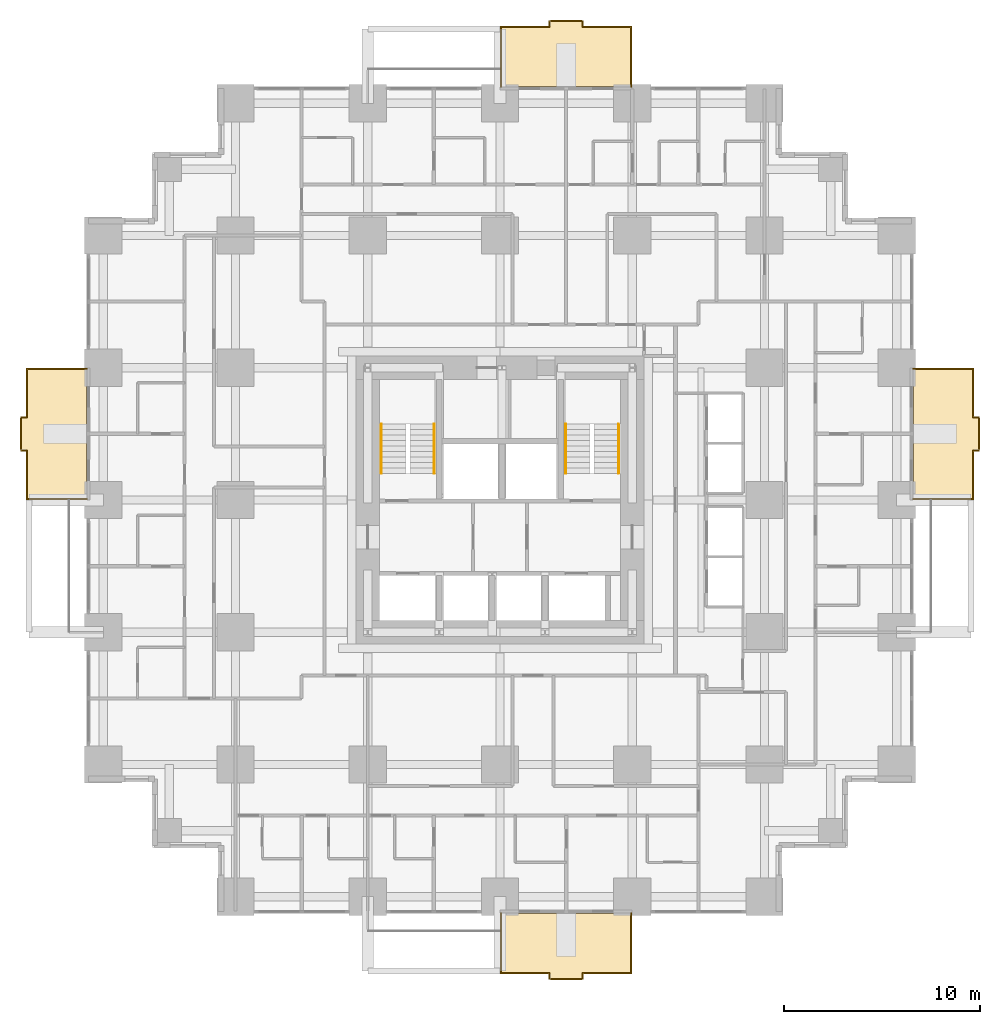
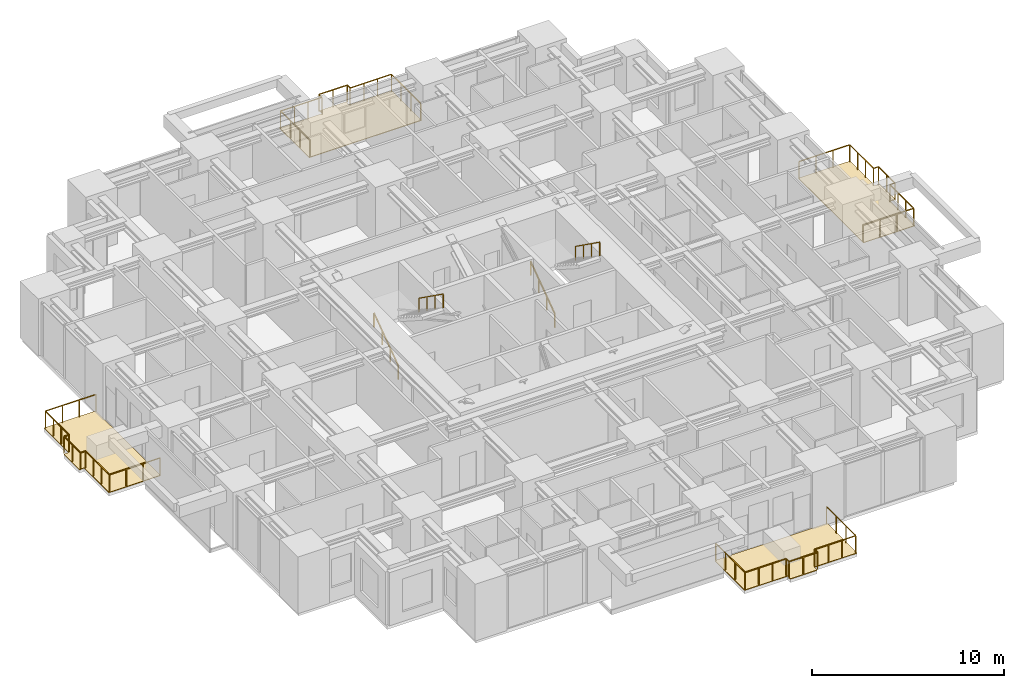
# One storey, part 14 of 14: 8 railings, 4 coverings.
"""IFC4 building model written with IfcOpenShell, lengths in metres."""

from ifc_helpers import new_model, si_unit, direction, frame, origin, origin_2d, place, context, subcontext, project, spatial, polyline, rectangle, outline, extrude, material, layer, layer_set, type_object, element, save


model = new_model("IFC4")

# Units and contexts
model_context = context("Model", 3, precision=1e-05, world=origin(), true_north=direction((0.0, 1.0)))
body_context = subcontext(model_context, "Body", "Model", "MODEL_VIEW")
ifc_project = project(units=[si_unit("LENGTHUNIT", "METRE"), si_unit("AREAUNIT", "SQUARE_METRE"), si_unit("VOLUMEUNIT", "CUBIC_METRE"), si_unit("PLANEANGLEUNIT", "RADIAN"), si_unit("MASSUNIT", "GRAM", prefix="KILO")], contexts=[model_context])

# Site, building, storey
site_placement = place(None, origin())
site = spatial("IfcSite", under=ifc_project, at=site_placement, CompositionType="ELEMENT")
building_placement = place(site_placement, origin())
building = spatial("IfcBuilding", under=site, at=building_placement, Name="Nyansa Garden Tower", CompositionType="ELEMENT")
storey_placement = place(building_placement, frame((0.0, 0.0, 28.800048828125)))
storey = spatial("IfcBuildingStorey", under=building, at=storey_placement, Name="L07", CompositionType="ELEMENT", Elevation=28.800048828125)

# Coverings
ifc_material_1 = material(Name="Hardwood decking on pedestals", Category="wood")
ifc_layer = layer(ifc_material_1, 0.0400390625)
ifc_layer_set = layer_set([ifc_layer], Name="Balcony decking DK40")
covering_type = type_object("IfcCoveringType", Name="Balcony decking DK40", PredefinedType="FLOORING", material=ifc_layer_set)
covering_1_placement = place(storey_placement, frame((0.0, 0.0, -0.0400390625)))
element("IfcCovering", 1, at=covering_1_placement, inside=storey, type_object=covering_type, Name="Balcony decking L07", PredefinedType="FLOORING", context=body_context, shape_type="SweptSolid", body=[
    extrude(outline(polyline([(20.25, -0.85009765625), (27.0, -0.85009765625), (27.0, -3.949951171875), (24.425048828125, -3.949951171875), (24.425048828125, -4.25), (22.824951171875, -4.25), (22.824951171875, -3.949951171875), (20.25, -3.949951171875), (20.25, -0.85009765625)])), origin(), (0.0, 0.0, 1.0), 0.0400390625),
])
covering_2_placement = place(storey_placement, frame((0.0, 0.0, -0.0400390625)))
element("IfcCovering", 2, at=covering_2_placement, inside=storey, type_object=covering_type, Name="Balcony decking L07", PredefinedType="FLOORING", context=body_context, shape_type="SweptSolid", body=[
    extrude(outline(polyline([(41.35009765625, 20.25), (41.35009765625, 27.0), (44.449951171875, 27.0), (44.449951171875, 24.425048828125), (44.75, 24.425048828125), (44.75, 22.824951171875), (44.449951171875, 22.824951171875), (44.449951171875, 20.25), (41.35009765625, 20.25)])), origin(), (0.0, 0.0, 1.0), 0.0400390625),
])
covering_3_placement = place(storey_placement, frame((0.0, 0.0, -0.0400390625)))
element("IfcCovering", 3, at=covering_3_placement, inside=storey, type_object=covering_type, Name="Balcony decking L07", PredefinedType="FLOORING", context=body_context, shape_type="SweptSolid", body=[
    extrude(outline(polyline([(20.25, 41.35009765625), (27.0, 41.35009765625), (27.0, 44.449951171875), (24.425048828125, 44.449951171875), (24.425048828125, 44.75), (22.824951171875, 44.75), (22.824951171875, 44.449951171875), (20.25, 44.449951171875), (20.25, 41.35009765625)])), origin(), (0.0, 0.0, 1.0), 0.0400390625),
])
covering_4_placement = place(storey_placement, frame((0.0, 0.0, -0.0400390625)))
element("IfcCovering", 4, at=covering_4_placement, inside=storey, type_object=covering_type, Name="Balcony decking L07", PredefinedType="FLOORING", context=body_context, shape_type="SweptSolid", body=[
    extrude(outline(polyline([(-0.85009765625, 20.25), (-0.85009765625, 27.0), (-3.949951171875, 27.0), (-3.949951171875, 24.425048828125), (-4.25, 24.425048828125), (-4.25, 22.824951171875), (-3.949951171875, 22.824951171875), (-3.949951171875, 20.25), (-0.85009765625, 20.25)])), origin(), (0.0, 0.0, 1.0), 0.0400390625),
])

# Railings
ifc_material_2 = material(Name="Black powder-coated steel balusters, laminated glass infill", Category="steel")
railing_type_1 = type_object("IfcRailingType", Name="Balcony guard G1", PredefinedType="GUARDRAIL", material=ifc_material_2)
railing_1_placement = place(storey_placement, frame((20.300048828125, -0.85009765625, 0.0)))
element("IfcRailing", 5, at=railing_1_placement, inside=storey, type_object=railing_type_1, Name="Balcony guard L07", PredefinedType="GUARDRAIL", context=body_context, shape_type="SweptSolid", body=[
    extrude(rectangle(XDim=0.048095703125, YDim=0.048095703125, at=origin_2d()), frame((0.0, 0.0, 1.076171875), z_axis=(0.0, -1.0, 0.0), x_axis=(1.0, 0.0, 0.0)), (0.0, 0.0, 1.0), 3.0498046875),
    extrude(rectangle(XDim=0.048095703125, YDim=0.048095703125, at=origin_2d()), frame((0.0, -3.0498046875, 1.076171875), z_axis=(1.0, 0.0, 0.0), x_axis=(0.0, 1.0, 0.0)), (0.0, 0.0, 1.0), 2.474853515625),
    extrude(rectangle(XDim=0.048095703125, YDim=0.048095703125, at=origin_2d()), frame((2.474853515625, -3.0498046875, 1.076171875), z_axis=(0.0, -1.0, 0.0), x_axis=(1.0, 0.0, 0.0)), (0.0, 0.0, 1.0), 0.300048828125),
    extrude(rectangle(XDim=0.048095703125, YDim=0.048095703125, at=origin_2d()), frame((2.474853515625, -3.349853515625, 1.076171875), z_axis=(1.0, 0.0, 0.0), x_axis=(0.0, 1.0, 0.0)), (0.0, 0.0, 1.0), 1.7001953125),
    extrude(rectangle(XDim=0.048095703125, YDim=0.048095703125, at=origin_2d()), frame((4.175048828125, -3.349853515625, 1.076171875), z_axis=(0.0, 1.0, 0.0), x_axis=(-1.0, 0.0, 0.0)), (0.0, 0.0, 1.0), 0.300048828125),
    extrude(rectangle(XDim=0.048095703125, YDim=0.048095703125, at=origin_2d()), frame((4.175048828125, -3.0498046875, 1.076171875), z_axis=(1.0, 0.0, 0.0), x_axis=(0.0, 1.0, 0.0)), (0.0, 0.0, 1.0), 2.474853515625),
    extrude(rectangle(XDim=0.048095703125, YDim=0.048095703125, at=origin_2d()), frame((6.64990234375, -3.0498046875, 1.076171875), z_axis=(0.0, 1.0, 0.0), x_axis=(-1.0, 0.0, 0.0)), (0.0, 0.0, 1.0), 3.0498046875),
    extrude(rectangle(XDim=0.0419921875, YDim=0.0419921875, at=origin_2d()), origin(), (0.0, 0.0, 1.0), 1.052001953125),
    extrude(rectangle(XDim=0.0419921875, YDim=0.0419921875, at=origin_2d()), frame((0.0, -1.0166015625, 0.0)), (0.0, 0.0, 1.0), 1.052001953125),
    extrude(rectangle(XDim=0.0419921875, YDim=0.0419921875, at=origin_2d()), frame((0.0, -2.033203125, 0.0)), (0.0, 0.0, 1.0), 1.052001953125),
    extrude(rectangle(XDim=0.0419921875, YDim=0.0419921875, at=origin_2d()), frame((0.0, -3.0498046875, 0.0)), (0.0, 0.0, 1.0), 1.052001953125),
    extrude(rectangle(XDim=0.0419921875, YDim=0.0419921875, at=origin_2d()), frame((0.824951171875, -3.0498046875, 0.0)), (0.0, 0.0, 1.0), 1.052001953125),
    extrude(rectangle(XDim=0.0419921875, YDim=0.0419921875, at=origin_2d()), frame((1.64990234375, -3.0498046875, 0.0)), (0.0, 0.0, 1.0), 1.052001953125),
    extrude(rectangle(XDim=0.0419921875, YDim=0.0419921875, at=origin_2d()), frame((2.474853515625, -3.0498046875, 0.0)), (0.0, 0.0, 1.0), 1.052001953125),
    extrude(rectangle(XDim=0.0419921875, YDim=0.0419921875, at=origin_2d()), frame((2.474853515625, -3.349853515625, 0.0)), (0.0, 0.0, 1.0), 1.052001953125),
    extrude(rectangle(XDim=0.0419921875, YDim=0.0419921875, at=origin_2d()), frame((3.324951171875, -3.349853515625, 0.0)), (0.0, 0.0, 1.0), 1.052001953125),
    extrude(rectangle(XDim=0.0419921875, YDim=0.0419921875, at=origin_2d()), frame((4.175048828125, -3.349853515625, 0.0)), (0.0, 0.0, 1.0), 1.052001953125),
    extrude(rectangle(XDim=0.0419921875, YDim=0.0419921875, at=origin_2d()), frame((4.175048828125, -3.0498046875, 0.0)), (0.0, 0.0, 1.0), 1.052001953125),
    extrude(rectangle(XDim=0.0419921875, YDim=0.0419921875, at=origin_2d()), frame((5.0, -3.0498046875, 0.0)), (0.0, 0.0, 1.0), 1.052001953125),
    extrude(rectangle(XDim=0.0419921875, YDim=0.0419921875, at=origin_2d()), frame((5.824951171875, -3.0498046875, 0.0)), (0.0, 0.0, 1.0), 1.052001953125),
    extrude(rectangle(XDim=0.0419921875, YDim=0.0419921875, at=origin_2d()), frame((6.64990234375, -3.0498046875, 0.0)), (0.0, 0.0, 1.0), 1.052001953125),
    extrude(rectangle(XDim=0.0419921875, YDim=0.0419921875, at=origin_2d()), frame((6.64990234375, -2.033203125, 0.0)), (0.0, 0.0, 1.0), 1.052001953125),
    extrude(rectangle(XDim=0.0419921875, YDim=0.0419921875, at=origin_2d()), frame((6.64990234375, -1.0166015625, 0.0)), (0.0, 0.0, 1.0), 1.052001953125),
    extrude(rectangle(XDim=0.0419921875, YDim=0.0419921875, at=origin_2d()), frame((6.64990234375, 0.0, 0.0)), (0.0, 0.0, 1.0), 1.052001953125),
])
railing_2_placement = place(storey_placement, frame((41.35009765625, 20.300048828125, 0.0)))
element("IfcRailing", 6, at=railing_2_placement, inside=storey, type_object=railing_type_1, Name="Balcony guard L07", PredefinedType="GUARDRAIL", context=body_context, shape_type="SweptSolid", body=[
    extrude(rectangle(XDim=0.048095703125, YDim=0.048095703125, at=origin_2d()), frame((0.0, 0.0, 1.076171875), z_axis=(1.0, 0.0, 0.0), x_axis=(0.0, 1.0, 0.0)), (0.0, 0.0, 1.0), 3.0498046875),
    extrude(rectangle(XDim=0.048095703125, YDim=0.048095703125, at=origin_2d()), frame((3.0498046875, 0.0, 1.076171875), z_axis=(0.0, 1.0, 0.0), x_axis=(-1.0, 0.0, 0.0)), (0.0, 0.0, 1.0), 2.474853515625),
    extrude(rectangle(XDim=0.048095703125, YDim=0.048095703125, at=origin_2d()), frame((3.0498046875, 2.474853515625, 1.076171875), z_axis=(1.0, 0.0, 0.0), x_axis=(0.0, 1.0, 0.0)), (0.0, 0.0, 1.0), 0.300048828125),
    extrude(rectangle(XDim=0.048095703125, YDim=0.048095703125, at=origin_2d()), frame((3.349853515625, 2.474853515625, 1.076171875), z_axis=(0.0, 1.0, 0.0), x_axis=(-1.0, 0.0, 0.0)), (0.0, 0.0, 1.0), 1.7001953125),
    extrude(rectangle(XDim=0.048095703125, YDim=0.048095703125, at=origin_2d()), frame((3.349853515625, 4.175048828125, 1.076171875), z_axis=(-1.0, 0.0, 0.0), x_axis=(0.0, -1.0, 0.0)), (0.0, 0.0, 1.0), 0.300048828125),
    extrude(rectangle(XDim=0.048095703125, YDim=0.048095703125, at=origin_2d()), frame((3.0498046875, 4.175048828125, 1.076171875), z_axis=(0.0, 1.0, 0.0), x_axis=(-1.0, 0.0, 0.0)), (0.0, 0.0, 1.0), 2.474853515625),
    extrude(rectangle(XDim=0.048095703125, YDim=0.048095703125, at=origin_2d()), frame((3.0498046875, 6.64990234375, 1.076171875), z_axis=(-1.0, 0.0, 0.0), x_axis=(0.0, -1.0, 0.0)), (0.0, 0.0, 1.0), 3.0498046875),
    extrude(rectangle(XDim=0.0419921875, YDim=0.0419921875, at=origin_2d()), origin(), (0.0, 0.0, 1.0), 1.052001953125),
    extrude(rectangle(XDim=0.0419921875, YDim=0.0419921875, at=origin_2d()), frame((1.0166015625, 0.0, 0.0)), (0.0, 0.0, 1.0), 1.052001953125),
    extrude(rectangle(XDim=0.0419921875, YDim=0.0419921875, at=origin_2d()), frame((2.033203125, 0.0, 0.0)), (0.0, 0.0, 1.0), 1.052001953125),
    extrude(rectangle(XDim=0.0419921875, YDim=0.0419921875, at=origin_2d()), frame((3.0498046875, 0.0, 0.0)), (0.0, 0.0, 1.0), 1.052001953125),
    extrude(rectangle(XDim=0.0419921875, YDim=0.0419921875, at=origin_2d()), frame((3.0498046875, 0.824951171875, 0.0)), (0.0, 0.0, 1.0), 1.052001953125),
    extrude(rectangle(XDim=0.0419921875, YDim=0.0419921875, at=origin_2d()), frame((3.0498046875, 1.64990234375, 0.0)), (0.0, 0.0, 1.0), 1.052001953125),
    extrude(rectangle(XDim=0.0419921875, YDim=0.0419921875, at=origin_2d()), frame((3.0498046875, 2.474853515625, 0.0)), (0.0, 0.0, 1.0), 1.052001953125),
    extrude(rectangle(XDim=0.0419921875, YDim=0.0419921875, at=origin_2d()), frame((3.349853515625, 2.474853515625, 0.0)), (0.0, 0.0, 1.0), 1.052001953125),
    extrude(rectangle(XDim=0.0419921875, YDim=0.0419921875, at=origin_2d()), frame((3.349853515625, 3.324951171875, 0.0)), (0.0, 0.0, 1.0), 1.052001953125),
    extrude(rectangle(XDim=0.0419921875, YDim=0.0419921875, at=origin_2d()), frame((3.349853515625, 4.175048828125, 0.0)), (0.0, 0.0, 1.0), 1.052001953125),
    extrude(rectangle(XDim=0.0419921875, YDim=0.0419921875, at=origin_2d()), frame((3.0498046875, 4.175048828125, 0.0)), (0.0, 0.0, 1.0), 1.052001953125),
    extrude(rectangle(XDim=0.0419921875, YDim=0.0419921875, at=origin_2d()), frame((3.0498046875, 5.0, 0.0)), (0.0, 0.0, 1.0), 1.052001953125),
    extrude(rectangle(XDim=0.0419921875, YDim=0.0419921875, at=origin_2d()), frame((3.0498046875, 5.824951171875, 0.0)), (0.0, 0.0, 1.0), 1.052001953125),
    extrude(rectangle(XDim=0.0419921875, YDim=0.0419921875, at=origin_2d()), frame((3.0498046875, 6.64990234375, 0.0)), (0.0, 0.0, 1.0), 1.052001953125),
    extrude(rectangle(XDim=0.0419921875, YDim=0.0419921875, at=origin_2d()), frame((2.033203125, 6.64990234375, 0.0)), (0.0, 0.0, 1.0), 1.052001953125),
    extrude(rectangle(XDim=0.0419921875, YDim=0.0419921875, at=origin_2d()), frame((1.0166015625, 6.64990234375, 0.0)), (0.0, 0.0, 1.0), 1.052001953125),
    extrude(rectangle(XDim=0.0419921875, YDim=0.0419921875, at=origin_2d()), frame((0.0, 6.64990234375, 0.0)), (0.0, 0.0, 1.0), 1.052001953125),
])
railing_3_placement = place(storey_placement, frame((20.300048828125, 41.35009765625, 0.0)))
element("IfcRailing", 7, at=railing_3_placement, inside=storey, type_object=railing_type_1, Name="Balcony guard L07", PredefinedType="GUARDRAIL", context=body_context, shape_type="SweptSolid", body=[
    extrude(rectangle(XDim=0.048095703125, YDim=0.048095703125, at=origin_2d()), frame((0.0, 0.0, 1.076171875), z_axis=(0.0, 1.0, 0.0), x_axis=(-1.0, 0.0, 0.0)), (0.0, 0.0, 1.0), 3.0498046875),
    extrude(rectangle(XDim=0.048095703125, YDim=0.048095703125, at=origin_2d()), frame((0.0, 3.0498046875, 1.076171875), z_axis=(1.0, 0.0, 0.0), x_axis=(0.0, 1.0, 0.0)), (0.0, 0.0, 1.0), 2.474853515625),
    extrude(rectangle(XDim=0.048095703125, YDim=0.048095703125, at=origin_2d()), frame((2.474853515625, 3.0498046875, 1.076171875), z_axis=(0.0, 1.0, 0.0), x_axis=(-1.0, 0.0, 0.0)), (0.0, 0.0, 1.0), 0.300048828125),
    extrude(rectangle(XDim=0.048095703125, YDim=0.048095703125, at=origin_2d()), frame((2.474853515625, 3.349853515625, 1.076171875), z_axis=(1.0, 0.0, 0.0), x_axis=(0.0, 1.0, 0.0)), (0.0, 0.0, 1.0), 1.7001953125),
    extrude(rectangle(XDim=0.048095703125, YDim=0.048095703125, at=origin_2d()), frame((4.175048828125, 3.349853515625, 1.076171875), z_axis=(0.0, -1.0, 0.0), x_axis=(1.0, 0.0, 0.0)), (0.0, 0.0, 1.0), 0.300048828125),
    extrude(rectangle(XDim=0.048095703125, YDim=0.048095703125, at=origin_2d()), frame((4.175048828125, 3.0498046875, 1.076171875), z_axis=(1.0, 0.0, 0.0), x_axis=(0.0, 1.0, 0.0)), (0.0, 0.0, 1.0), 2.474853515625),
    extrude(rectangle(XDim=0.048095703125, YDim=0.048095703125, at=origin_2d()), frame((6.64990234375, 3.0498046875, 1.076171875), z_axis=(0.0, -1.0, 0.0), x_axis=(1.0, 0.0, 0.0)), (0.0, 0.0, 1.0), 3.0498046875),
    extrude(rectangle(XDim=0.0419921875, YDim=0.0419921875, at=origin_2d()), origin(), (0.0, 0.0, 1.0), 1.052001953125),
    extrude(rectangle(XDim=0.0419921875, YDim=0.0419921875, at=origin_2d()), frame((0.0, 1.0166015625, 0.0)), (0.0, 0.0, 1.0), 1.052001953125),
    extrude(rectangle(XDim=0.0419921875, YDim=0.0419921875, at=origin_2d()), frame((0.0, 2.033203125, 0.0)), (0.0, 0.0, 1.0), 1.052001953125),
    extrude(rectangle(XDim=0.0419921875, YDim=0.0419921875, at=origin_2d()), frame((0.0, 3.0498046875, 0.0)), (0.0, 0.0, 1.0), 1.052001953125),
    extrude(rectangle(XDim=0.0419921875, YDim=0.0419921875, at=origin_2d()), frame((0.824951171875, 3.0498046875, 0.0)), (0.0, 0.0, 1.0), 1.052001953125),
    extrude(rectangle(XDim=0.0419921875, YDim=0.0419921875, at=origin_2d()), frame((1.64990234375, 3.0498046875, 0.0)), (0.0, 0.0, 1.0), 1.052001953125),
    extrude(rectangle(XDim=0.0419921875, YDim=0.0419921875, at=origin_2d()), frame((2.474853515625, 3.0498046875, 0.0)), (0.0, 0.0, 1.0), 1.052001953125),
    extrude(rectangle(XDim=0.0419921875, YDim=0.0419921875, at=origin_2d()), frame((2.474853515625, 3.349853515625, 0.0)), (0.0, 0.0, 1.0), 1.052001953125),
    extrude(rectangle(XDim=0.0419921875, YDim=0.0419921875, at=origin_2d()), frame((3.324951171875, 3.349853515625, 0.0)), (0.0, 0.0, 1.0), 1.052001953125),
    extrude(rectangle(XDim=0.0419921875, YDim=0.0419921875, at=origin_2d()), frame((4.175048828125, 3.349853515625, 0.0)), (0.0, 0.0, 1.0), 1.052001953125),
    extrude(rectangle(XDim=0.0419921875, YDim=0.0419921875, at=origin_2d()), frame((4.175048828125, 3.0498046875, 0.0)), (0.0, 0.0, 1.0), 1.052001953125),
    extrude(rectangle(XDim=0.0419921875, YDim=0.0419921875, at=origin_2d()), frame((5.0, 3.0498046875, 0.0)), (0.0, 0.0, 1.0), 1.052001953125),
    extrude(rectangle(XDim=0.0419921875, YDim=0.0419921875, at=origin_2d()), frame((5.824951171875, 3.0498046875, 0.0)), (0.0, 0.0, 1.0), 1.052001953125),
    extrude(rectangle(XDim=0.0419921875, YDim=0.0419921875, at=origin_2d()), frame((6.64990234375, 3.0498046875, 0.0)), (0.0, 0.0, 1.0), 1.052001953125),
    extrude(rectangle(XDim=0.0419921875, YDim=0.0419921875, at=origin_2d()), frame((6.64990234375, 2.033203125, 0.0)), (0.0, 0.0, 1.0), 1.052001953125),
    extrude(rectangle(XDim=0.0419921875, YDim=0.0419921875, at=origin_2d()), frame((6.64990234375, 1.0166015625, 0.0)), (0.0, 0.0, 1.0), 1.052001953125),
    extrude(rectangle(XDim=0.0419921875, YDim=0.0419921875, at=origin_2d()), frame((6.64990234375, 0.0, 0.0)), (0.0, 0.0, 1.0), 1.052001953125),
])
railing_4_placement = place(storey_placement, frame((-0.85009765625, 20.300048828125, 0.0)))
element("IfcRailing", 8, at=railing_4_placement, inside=storey, type_object=railing_type_1, Name="Balcony guard L07", PredefinedType="GUARDRAIL", context=body_context, shape_type="SweptSolid", body=[
    extrude(rectangle(XDim=0.048095703125, YDim=0.048095703125, at=origin_2d()), frame((0.0, 0.0, 1.076171875), z_axis=(-1.0, 0.0, 0.0), x_axis=(0.0, -1.0, 0.0)), (0.0, 0.0, 1.0), 3.0498046875),
    extrude(rectangle(XDim=0.048095703125, YDim=0.048095703125, at=origin_2d()), frame((-3.0498046875, 0.0, 1.076171875), z_axis=(0.0, 1.0, 0.0), x_axis=(-1.0, 0.0, 0.0)), (0.0, 0.0, 1.0), 2.474853515625),
    extrude(rectangle(XDim=0.048095703125, YDim=0.048095703125, at=origin_2d()), frame((-3.0498046875, 2.474853515625, 1.076171875), z_axis=(-1.0, 0.0, 0.0), x_axis=(0.0, -1.0, 0.0)), (0.0, 0.0, 1.0), 0.300048828125),
    extrude(rectangle(XDim=0.048095703125, YDim=0.048095703125, at=origin_2d()), frame((-3.349853515625, 2.474853515625, 1.076171875), z_axis=(0.0, 1.0, 0.0), x_axis=(-1.0, 0.0, 0.0)), (0.0, 0.0, 1.0), 1.7001953125),
    extrude(rectangle(XDim=0.048095703125, YDim=0.048095703125, at=origin_2d()), frame((-3.349853515625, 4.175048828125, 1.076171875), z_axis=(1.0, 0.0, 0.0), x_axis=(0.0, 1.0, 0.0)), (0.0, 0.0, 1.0), 0.300048828125),
    extrude(rectangle(XDim=0.048095703125, YDim=0.048095703125, at=origin_2d()), frame((-3.0498046875, 4.175048828125, 1.076171875), z_axis=(0.0, 1.0, 0.0), x_axis=(-1.0, 0.0, 0.0)), (0.0, 0.0, 1.0), 2.474853515625),
    extrude(rectangle(XDim=0.048095703125, YDim=0.048095703125, at=origin_2d()), frame((-3.0498046875, 6.64990234375, 1.076171875), z_axis=(1.0, 0.0, 0.0), x_axis=(0.0, 1.0, 0.0)), (0.0, 0.0, 1.0), 3.0498046875),
    extrude(rectangle(XDim=0.0419921875, YDim=0.0419921875, at=origin_2d()), origin(), (0.0, 0.0, 1.0), 1.052001953125),
    extrude(rectangle(XDim=0.0419921875, YDim=0.0419921875, at=origin_2d()), frame((-1.0166015625, 0.0, 0.0)), (0.0, 0.0, 1.0), 1.052001953125),
    extrude(rectangle(XDim=0.0419921875, YDim=0.0419921875, at=origin_2d()), frame((-2.033203125, 0.0, 0.0)), (0.0, 0.0, 1.0), 1.052001953125),
    extrude(rectangle(XDim=0.0419921875, YDim=0.0419921875, at=origin_2d()), frame((-3.0498046875, 0.0, 0.0)), (0.0, 0.0, 1.0), 1.052001953125),
    extrude(rectangle(XDim=0.0419921875, YDim=0.0419921875, at=origin_2d()), frame((-3.0498046875, 0.824951171875, 0.0)), (0.0, 0.0, 1.0), 1.052001953125),
    extrude(rectangle(XDim=0.0419921875, YDim=0.0419921875, at=origin_2d()), frame((-3.0498046875, 1.64990234375, 0.0)), (0.0, 0.0, 1.0), 1.052001953125),
    extrude(rectangle(XDim=0.0419921875, YDim=0.0419921875, at=origin_2d()), frame((-3.0498046875, 2.474853515625, 0.0)), (0.0, 0.0, 1.0), 1.052001953125),
    extrude(rectangle(XDim=0.0419921875, YDim=0.0419921875, at=origin_2d()), frame((-3.349853515625, 2.474853515625, 0.0)), (0.0, 0.0, 1.0), 1.052001953125),
    extrude(rectangle(XDim=0.0419921875, YDim=0.0419921875, at=origin_2d()), frame((-3.349853515625, 3.324951171875, 0.0)), (0.0, 0.0, 1.0), 1.052001953125),
    extrude(rectangle(XDim=0.0419921875, YDim=0.0419921875, at=origin_2d()), frame((-3.349853515625, 4.175048828125, 0.0)), (0.0, 0.0, 1.0), 1.052001953125),
    extrude(rectangle(XDim=0.0419921875, YDim=0.0419921875, at=origin_2d()), frame((-3.0498046875, 4.175048828125, 0.0)), (0.0, 0.0, 1.0), 1.052001953125),
    extrude(rectangle(XDim=0.0419921875, YDim=0.0419921875, at=origin_2d()), frame((-3.0498046875, 5.0, 0.0)), (0.0, 0.0, 1.0), 1.052001953125),
    extrude(rectangle(XDim=0.0419921875, YDim=0.0419921875, at=origin_2d()), frame((-3.0498046875, 5.824951171875, 0.0)), (0.0, 0.0, 1.0), 1.052001953125),
    extrude(rectangle(XDim=0.0419921875, YDim=0.0419921875, at=origin_2d()), frame((-3.0498046875, 6.64990234375, 0.0)), (0.0, 0.0, 1.0), 1.052001953125),
    extrude(rectangle(XDim=0.0419921875, YDim=0.0419921875, at=origin_2d()), frame((-2.033203125, 6.64990234375, 0.0)), (0.0, 0.0, 1.0), 1.052001953125),
    extrude(rectangle(XDim=0.0419921875, YDim=0.0419921875, at=origin_2d()), frame((-1.0166015625, 6.64990234375, 0.0)), (0.0, 0.0, 1.0), 1.052001953125),
    extrude(rectangle(XDim=0.0419921875, YDim=0.0419921875, at=origin_2d()), frame((0.0, 6.64990234375, 0.0)), (0.0, 0.0, 1.0), 1.052001953125),
])
ifc_material_3 = material(Name="Black powder-coated steel tube 48 mm", Category="steel")
railing_type_2 = type_object("IfcRailingType", Name="Stair handrail HR1", PredefinedType="HANDRAIL", material=ifc_material_3)
railing_5_placement = place(storey_placement, frame((14.199951171875, 21.60009765625, 0.0)))
element("IfcRailing", 9, at=railing_5_placement, inside=storey, type_object=railing_type_2, Name="Stair S1 handrail L07", PredefinedType="HANDRAIL", context=body_context, shape_type="SweptSolid", body=[
    extrude(rectangle(XDim=0.048095703125, YDim=0.048095703125, at=origin_2d()), frame((0.0, 0.0, 0.8759765625), z_axis=(0.0, 0.813728144527, 0.581245650998), x_axis=(-1.0, 0.0, 0.0)), (0.0, 0.0, 1.0), 3.096923828125),
    extrude(rectangle(XDim=0.0419921875, YDim=0.0419921875, at=origin_2d()), origin(), (0.0, 0.0, 1.0), 0.851806640625),
    extrude(rectangle(XDim=0.0419921875, YDim=0.0419921875, at=origin_2d()), frame((0.0, 0.840087890625, 0.60009765625)), (0.0, 0.0, 1.0), 0.851806640625),
    extrude(rectangle(XDim=0.0419921875, YDim=0.0419921875, at=origin_2d()), frame((0.0, 1.679931640625, 1.199951171875)), (0.0, 0.0, 1.0), 0.851806640625),
    extrude(rectangle(XDim=0.0419921875, YDim=0.0419921875, at=origin_2d()), frame((0.0, 2.52001953125, 1.800048828125)), (0.0, 0.0, 1.0), 0.851806640625),
])
railing_6_placement = place(storey_placement, frame((16.89990234375, 24.1201171875, 1.800048828125)))
element("IfcRailing", 10, at=railing_6_placement, inside=storey, type_object=railing_type_2, Name="Stair S1 handrail L07", PredefinedType="HANDRAIL", context=body_context, shape_type="SweptSolid", body=[
    extrude(rectangle(XDim=0.048095703125, YDim=0.048095703125, at=origin_2d()), frame((0.0, 0.0, 0.8759765625), z_axis=(0.0, -0.813765431312, 0.581193446971), x_axis=(1.0, 0.0, 0.0)), (0.0, 0.0, 1.0), 3.0966796875),
    extrude(rectangle(XDim=0.0419921875, YDim=0.0419921875, at=origin_2d()), origin(), (0.0, 0.0, 1.0), 0.851806640625),
    extrude(rectangle(XDim=0.0419921875, YDim=0.0419921875, at=origin_2d()), frame((0.0, -0.840087890625, 0.599853515625)), (0.0, 0.0, 1.0), 0.851806640625),
    extrude(rectangle(XDim=0.0419921875, YDim=0.0419921875, at=origin_2d()), frame((0.0, -1.679931640625, 1.199951171875)), (0.0, 0.0, 1.0), 0.851806640625),
    extrude(rectangle(XDim=0.0419921875, YDim=0.0419921875, at=origin_2d()), frame((0.0, -2.52001953125, 1.7998046875)), (0.0, 0.0, 1.0), 0.851806640625),
])
railing_7_placement = place(storey_placement, frame((23.60009765625, 21.60009765625, 0.0)))
element("IfcRailing", 11, at=railing_7_placement, inside=storey, type_object=railing_type_2, Name="Stair S2 handrail L07", PredefinedType="HANDRAIL", context=body_context, shape_type="SweptSolid", body=[
    extrude(rectangle(XDim=0.048095703125, YDim=0.048095703125, at=origin_2d()), frame((0.0, 0.0, 0.8759765625), z_axis=(0.0, 0.813728144527, 0.581245650998), x_axis=(-1.0, 0.0, 0.0)), (0.0, 0.0, 1.0), 3.096923828125),
    extrude(rectangle(XDim=0.0419921875, YDim=0.0419921875, at=origin_2d()), origin(), (0.0, 0.0, 1.0), 0.851806640625),
    extrude(rectangle(XDim=0.0419921875, YDim=0.0419921875, at=origin_2d()), frame((0.0, 0.840087890625, 0.60009765625)), (0.0, 0.0, 1.0), 0.851806640625),
    extrude(rectangle(XDim=0.0419921875, YDim=0.0419921875, at=origin_2d()), frame((0.0, 1.679931640625, 1.199951171875)), (0.0, 0.0, 1.0), 0.851806640625),
    extrude(rectangle(XDim=0.0419921875, YDim=0.0419921875, at=origin_2d()), frame((0.0, 2.52001953125, 1.800048828125)), (0.0, 0.0, 1.0), 0.851806640625),
])
railing_8_placement = place(storey_placement, frame((26.300048828125, 24.1201171875, 1.800048828125)))
element("IfcRailing", 12, at=railing_8_placement, inside=storey, type_object=railing_type_2, Name="Stair S2 handrail L07", PredefinedType="HANDRAIL", context=body_context, shape_type="SweptSolid", body=[
    extrude(rectangle(XDim=0.048095703125, YDim=0.048095703125, at=origin_2d()), frame((0.0, 0.0, 0.8759765625), z_axis=(0.0, -0.813765431312, 0.581193446971), x_axis=(1.0, 0.0, 0.0)), (0.0, 0.0, 1.0), 3.0966796875),
    extrude(rectangle(XDim=0.0419921875, YDim=0.0419921875, at=origin_2d()), origin(), (0.0, 0.0, 1.0), 0.851806640625),
    extrude(rectangle(XDim=0.0419921875, YDim=0.0419921875, at=origin_2d()), frame((0.0, -0.840087890625, 0.599853515625)), (0.0, 0.0, 1.0), 0.851806640625),
    extrude(rectangle(XDim=0.0419921875, YDim=0.0419921875, at=origin_2d()), frame((0.0, -1.679931640625, 1.199951171875)), (0.0, 0.0, 1.0), 0.851806640625),
    extrude(rectangle(XDim=0.0419921875, YDim=0.0419921875, at=origin_2d()), frame((0.0, -2.52001953125, 1.7998046875)), (0.0, 0.0, 1.0), 0.851806640625),
])

save(model, "model.ifc")
